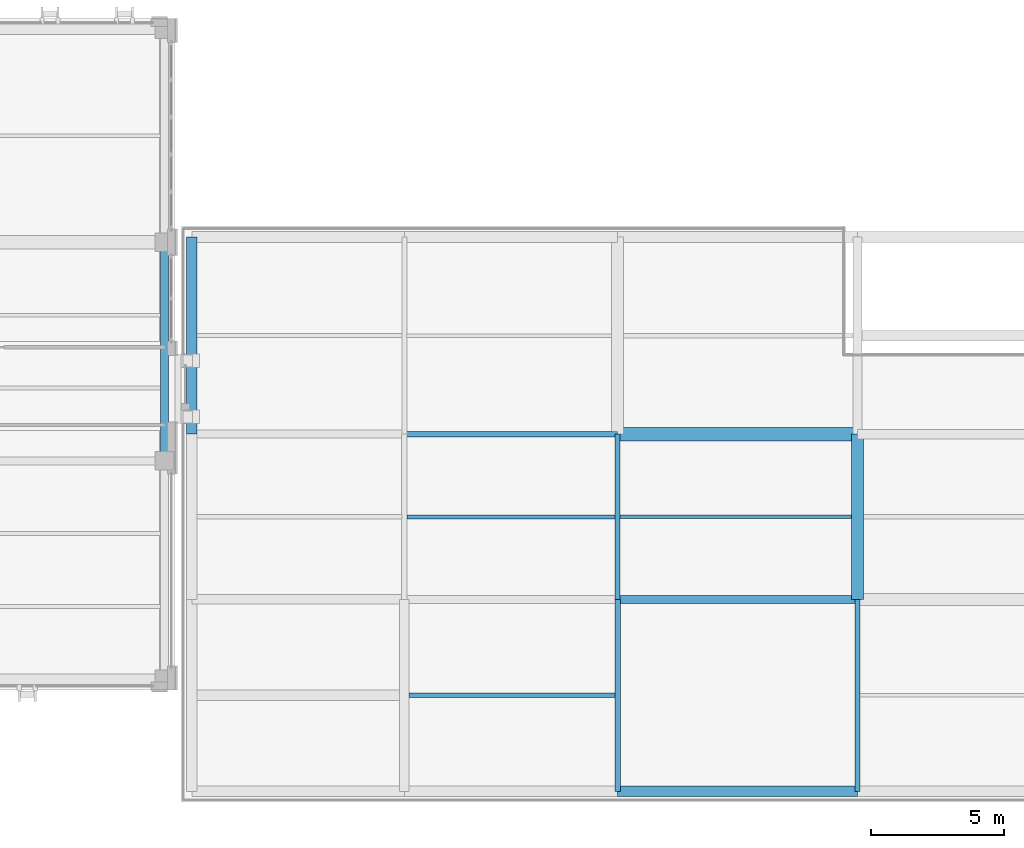
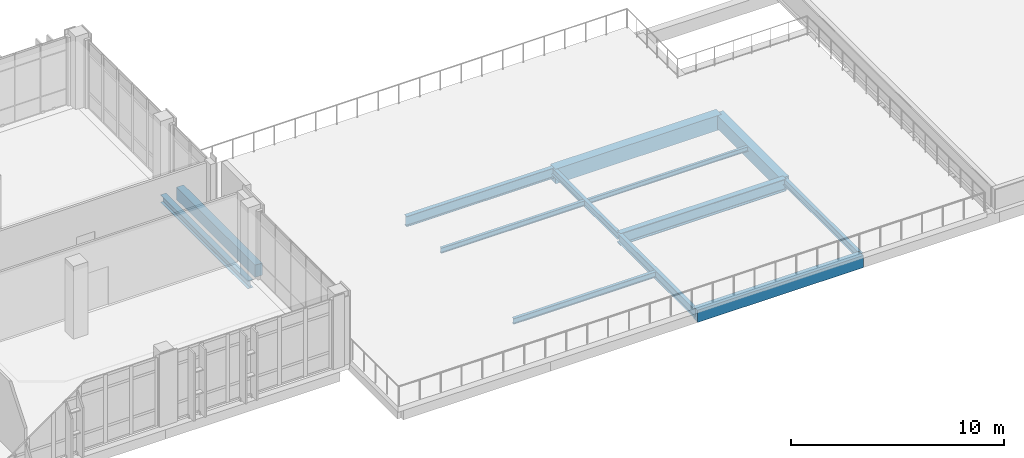
# One storey, part 50 of 165: 13 beams.
"""IFC4 building model written with IfcOpenShell, lengths in metres."""

from ifc_helpers import new_model, si_unit, direction, frame, origin, origin_2d, place, context, subcontext, project, spatial, rectangle, i_section, extrude, material, material_profile, profile_set, type_object, element, save


model = new_model("IFC4")

# Units and contexts
model_context = context("Model", 3, precision=1e-05, world=origin(), true_north=direction((0.0, 1.0)))
body_context = subcontext(model_context, "Body", "Model", "MODEL_VIEW")
ifc_project = project(units=[si_unit("LENGTHUNIT", "METRE"), si_unit("AREAUNIT", "SQUARE_METRE"), si_unit("VOLUMEUNIT", "CUBIC_METRE"), si_unit("PLANEANGLEUNIT", "RADIAN"), si_unit("MASSUNIT", "GRAM", prefix="KILO")], contexts=[model_context])

# Site, building, storey
site_placement = place(None, origin())
site = spatial("IfcSite", under=ifc_project, at=site_placement, CompositionType="ELEMENT")
building_placement = place(site_placement, origin())
building = spatial("IfcBuilding", under=site, at=building_placement, Name="Qalavern Law Courts", CompositionType="ELEMENT")
storey_placement = place(building_placement, frame((0.0, 0.0, 14.39990234375)))
storey = spatial("IfcBuildingStorey", under=building, at=storey_placement, Name="L03", CompositionType="ELEMENT", Elevation=14.39990234375)

# Beams
ifc_material_1 = material(Name="Steel S355", Category="steel")
ifc_material_profile_1 = material_profile(ifc_material_1, i_section(OverallWidth=0.300048828125, OverallDepth=0.699951171875, WebThickness=0.01708984375, FlangeThickness=0.031982421875, FilletRadius=0.027099609375, at=origin_2d()), Name="HEB 700")
ifc_profile_set_1 = profile_set([ifc_material_profile_1], Name="Steel S355")
beam_type_1 = type_object("IfcBeamType", Name="STR-BM-HEB700", PredefinedType="BEAM", material=ifc_profile_set_1)
beam_1_placement = place(storey_placement, frame((117.800048828125, 8.60009765625, -0.661865234375), z_axis=(1.0, 0.0, 0.0), x_axis=(0.0, 1.0, 0.0)))
element("IfcBeam", 1, at=beam_1_placement, inside=storey, type_object=beam_type_1, Name="V6 X-beam 2-3 L03", PredefinedType="BEAM", context=body_context, shape_type="SweptSolid", body=[
    extrude(i_section(OverallWidth=0.300048828125, OverallDepth=0.699951171875, WebThickness=0.01708984375, FlangeThickness=0.031982421875, FilletRadius=0.027099609375, at=origin_2d()), origin(), (0.0, 0.0, 1.0), 9.0),
])
ifc_material_profile_2 = material_profile(ifc_material_1, i_section(OverallWidth=0.179931640625, OverallDepth=0.39990234375, WebThickness=0.008544921875, FlangeThickness=0.013427734375, FilletRadius=0.02099609375, at=origin_2d()), Name="IPE 400")
ifc_profile_set_2 = profile_set([ifc_material_profile_2], Name="Steel S355")
beam_type_2 = type_object("IfcBeamType", Name="STR-BM-IPE400", PredefinedType="BEAM", material=ifc_profile_set_2)
beam_2_placement = place(storey_placement, frame((117.800048828125, 8.60009765625, -0.511962890625), z_axis=(0.0, 1.0, 0.0), x_axis=(-1.0, 0.0, 0.0)))
element("IfcBeam", 2, at=beam_2_placement, inside=storey, type_object=beam_type_2, Name="V6 Y-beam 3-2 L03", PredefinedType="BEAM", context=body_context, shape_type="SweptSolid", body=[
    extrude(i_section(OverallWidth=0.179931640625, OverallDepth=0.39990234375, WebThickness=0.008544921875, FlangeThickness=0.013427734375, FilletRadius=0.02099609375, at=origin_2d()), origin(), (0.0, 0.0, 1.0), 6.199951171875),
])
beam_3_placement = place(storey_placement, frame((126.800048828125, 1.39990234375, -0.511962890625), z_axis=(0.0, 1.0, 0.0), x_axis=(-1.0, 0.0, 0.0)))
element("IfcBeam", 3, at=beam_3_placement, inside=storey, type_object=beam_type_2, Name="V6 Y-beam 4-1 L03", PredefinedType="BEAM", context=body_context, shape_type="SweptSolid", body=[
    extrude(i_section(OverallWidth=0.179931640625, OverallDepth=0.39990234375, WebThickness=0.008544921875, FlangeThickness=0.013427734375, FilletRadius=0.02099609375, at=origin_2d()), origin(), (0.0, 0.0, 1.0), 7.2001953125),
])
ifc_material_profile_3 = material_profile(ifc_material_1, i_section(OverallWidth=0.199951171875, OverallDepth=0.5, WebThickness=0.01025390625, FlangeThickness=0.01611328125, FilletRadius=0.02099609375, at=origin_2d()), Name="IPE 500")
ifc_profile_set_3 = profile_set([ifc_material_profile_3], Name="Steel S355")
beam_type_3 = type_object("IfcBeamType", Name="STR-BM-IPE500", PredefinedType="BEAM", material=ifc_profile_set_3)
beam_4_placement = place(storey_placement, frame((117.800048828125, 1.39990234375, -0.56201171875), z_axis=(0.0, 1.0, 0.0), x_axis=(-1.0, 0.0, 0.0)))
element("IfcBeam", 4, at=beam_4_placement, inside=storey, type_object=beam_type_3, Name="V6 Y-beam 3-1 L03", PredefinedType="BEAM", context=body_context, shape_type="SweptSolid", body=[
    extrude(i_section(OverallWidth=0.199951171875, OverallDepth=0.5, WebThickness=0.01025390625, FlangeThickness=0.01611328125, FilletRadius=0.02099609375, at=origin_2d()), origin(), (0.0, 0.0, 1.0), 7.2001953125),
])
ifc_material_profile_4 = material_profile(ifc_material_1, i_section(OverallWidth=0.219970703125, OverallDepth=0.60009765625, WebThickness=0.011962890625, FlangeThickness=0.01904296875, FilletRadius=0.02392578125, at=origin_2d()), Name="IPE 600")
ifc_profile_set_4 = profile_set([ifc_material_profile_4], Name="Steel S355")
beam_type_4 = type_object("IfcBeamType", Name="STR-BM-IPE600", PredefinedType="BEAM", material=ifc_profile_set_4)
beam_5_placement = place(storey_placement, frame((109.800048828125, 14.800048828125, -0.61181640625), z_axis=(1.0, 0.0, 0.0), x_axis=(0.0, 1.0, 0.0)))
element("IfcBeam", 5, at=beam_5_placement, inside=storey, type_object=beam_type_4, Name="V6 X-beam 3-2 L03", PredefinedType="BEAM", context=body_context, shape_type="SweptSolid", body=[
    extrude(i_section(OverallWidth=0.219970703125, OverallDepth=0.60009765625, WebThickness=0.011962890625, FlangeThickness=0.01904296875, FilletRadius=0.02392578125, at=origin_2d()), origin(), (0.0, 0.0, 1.0), 8.0),
])
ifc_material_2 = material(Name="Concrete C40/50", Category="concrete")
ifc_material_profile_5 = material_profile(ifc_material_2, rectangle(XDim=0.449951171875, YDim=0.75, at=origin_2d()), Name="RC 450x750")
ifc_profile_set_5 = profile_set([ifc_material_profile_5], Name="Concrete C40/50")
beam_type_5 = type_object("IfcBeamType", Name="STR-BM-RC450x750", PredefinedType="BEAM", material=ifc_profile_set_5)
beam_6_placement = place(storey_placement, frame((126.800048828125, 8.60009765625, -0.68701171875), z_axis=(0.0, 1.0, 0.0), x_axis=(-1.0, 0.0, 0.0)))
element("IfcBeam", 6, at=beam_6_placement, inside=storey, type_object=beam_type_5, Name="V6 Y-beam 4-2 L03", PredefinedType="BEAM", context=body_context, shape_type="SweptSolid", body=[
    extrude(rectangle(XDim=0.449951171875, YDim=0.75, at=origin_2d()), origin(), (0.0, 0.0, 1.0), 6.199951171875),
])
ifc_material_profile_6 = material_profile(ifc_material_2, rectangle(XDim=0.5, YDim=0.85009765625, at=origin_2d()), Name="RC 500x850")
ifc_profile_set_6 = profile_set([ifc_material_profile_6], Name="Concrete C40/50")
beam_type_6 = type_object("IfcBeamType", Name="STR-BM-RC500x850", PredefinedType="BEAM", material=ifc_profile_set_6)
beam_7_placement = place(storey_placement, frame((117.800048828125, 14.800048828125, -0.73681640625), z_axis=(1.0, 0.0, 0.0), x_axis=(0.0, 1.0, 0.0)))
element("IfcBeam", 7, at=beam_7_placement, inside=storey, type_object=beam_type_6, Name="V6 X-beam 3-3 L03", PredefinedType="BEAM", context=body_context, shape_type="SweptSolid", body=[
    extrude(rectangle(XDim=0.5, YDim=0.85009765625, at=origin_2d()), origin(), (0.0, 0.0, 1.0), 9.0),
])
ifc_material_profile_7 = material_profile(ifc_material_1, i_section(OverallWidth=0.135009765625, OverallDepth=0.27001953125, WebThickness=0.006591796875, FlangeThickness=0.01025390625, FilletRadius=0.014892578125, at=origin_2d()), Name="IPE 270")
ifc_profile_set_7 = profile_set([ifc_material_profile_7], Name="Steel S355")
beam_type_7 = type_object("IfcBeamType", Name="STR-JST-IPE270", PredefinedType="JOIST", material=ifc_profile_set_7)
beam_8_placement = place(storey_placement, frame((117.887939453125, 11.699951171875, -0.447021484375), z_axis=(1.0, 0.0, 0.0), x_axis=(0.0, 1.0, 0.0)))
element("IfcBeam", 8, at=beam_8_placement, inside=storey, type_object=beam_type_7, Name="V6 secondary joist 3.2.1 L03", PredefinedType="JOIST", context=body_context, shape_type="SweptSolid", body=[
    extrude(i_section(OverallWidth=0.135009765625, OverallDepth=0.27001953125, WebThickness=0.006591796875, FlangeThickness=0.01025390625, FilletRadius=0.014892578125, at=origin_2d()), origin(), (0.0, 0.0, 1.0), 8.68896484375),
])
ifc_material_profile_8 = material_profile(ifc_material_1, i_section(OverallWidth=0.14990234375, OverallDepth=0.300048828125, WebThickness=0.007080078125, FlangeThickness=0.0107421875, FilletRadius=0.014892578125, at=origin_2d()), Name="IPE 300")
ifc_profile_set_8 = profile_set([ifc_material_profile_8], Name="Steel S355")
beam_type_8 = type_object("IfcBeamType", Name="STR-JST-IPE300", PredefinedType="JOIST", material=ifc_profile_set_8)
beam_9_placement = place(storey_placement, frame((109.89794921875, 11.699951171875, -0.4619140625), z_axis=(1.0, 0.0, 0.0), x_axis=(0.0, 1.0, 0.0)))
element("IfcBeam", 9, at=beam_9_placement, inside=storey, type_object=beam_type_8, Name="V6 secondary joist 2.2.1 L03", PredefinedType="JOIST", context=body_context, shape_type="SweptSolid", body=[
    extrude(i_section(OverallWidth=0.14990234375, OverallDepth=0.300048828125, WebThickness=0.007080078125, FlangeThickness=0.0107421875, FilletRadius=0.014892578125, at=origin_2d()), origin(), (0.0, 0.0, 1.0), 7.81396484375),
])
ifc_material_profile_9 = material_profile(ifc_material_1, i_section(OverallWidth=0.159912109375, OverallDepth=0.330078125, WebThickness=0.007568359375, FlangeThickness=0.011474609375, FilletRadius=0.01806640625, at=origin_2d()), Name="IPE 330")
ifc_profile_set_9 = profile_set([ifc_material_profile_9], Name="Steel S355")
beam_type_9 = type_object("IfcBeamType", Name="STR-JST-IPE330", PredefinedType="JOIST", material=ifc_profile_set_9)
beam_10_placement = place(storey_placement, frame((109.972900390625, 5.0, -0.476806640625), z_axis=(1.0, 0.0, 0.0), x_axis=(0.0, 1.0, 0.0)))
element("IfcBeam", 10, at=beam_10_placement, inside=storey, type_object=beam_type_9, Name="V6 secondary joist 2.1.1 L03", PredefinedType="JOIST", context=body_context, shape_type="SweptSolid", body=[
    extrude(i_section(OverallWidth=0.159912109375, OverallDepth=0.330078125, WebThickness=0.007568359375, FlangeThickness=0.011474609375, FilletRadius=0.01806640625, at=origin_2d()), origin(), (0.0, 0.0, 1.0), 7.72900390625),
])
ifc_material_profile_10 = material_profile(ifc_material_1, i_section(OverallWidth=0.300048828125, OverallDepth=0.449951171875, WebThickness=0.013916015625, FlangeThickness=0.02587890625, FilletRadius=0.027099609375, at=origin_2d()), Name="HEB 450")
ifc_profile_set_10 = profile_set([ifc_material_profile_10], Name="Steel S355")
beam_type_10 = type_object("IfcBeamType", Name="STR-SP-HEB450", PredefinedType="SPANDREL", material=ifc_profile_set_10)
beam_11_placement = place(storey_placement, frame((100.800048828125, 13.800048828125, -0.510009765625), z_axis=(0.0, 1.0, 0.0), x_axis=(-1.0, 0.0, 0.0)))
element("IfcBeam", 11, at=beam_11_placement, inside=storey, type_object=beam_type_10, Name="V2 Y-beam 8-2 L03", PredefinedType="SPANDREL", context=body_context, shape_type="SweptSolid", body=[
    extrude(i_section(OverallWidth=0.300048828125, OverallDepth=0.449951171875, WebThickness=0.013916015625, FlangeThickness=0.02587890625, FilletRadius=0.027099609375, at=origin_2d()), origin(), (0.0, 0.0, 1.0), 8.199951171875),
])
ifc_material_profile_11 = material_profile(ifc_material_2, rectangle(XDim=0.39990234375, YDim=0.699951171875, at=origin_2d()), Name="RC 400x700")
ifc_profile_set_11 = profile_set([ifc_material_profile_11], Name="Concrete C40/50")
beam_type_11 = type_object("IfcBeamType", Name="STR-SP-RC400x700", PredefinedType="SPANDREL", material=ifc_profile_set_11)
beam_12_placement = place(storey_placement, frame((117.800048828125, 1.39990234375, -0.661865234375), z_axis=(1.0, 0.0, 0.0), x_axis=(0.0, 1.0, 0.0)))
element("IfcBeam", 12, at=beam_12_placement, inside=storey, type_object=beam_type_11, Name="V6 X-beam 1-3 L03", PredefinedType="SPANDREL", context=body_context, shape_type="SweptSolid", body=[
    extrude(rectangle(XDim=0.39990234375, YDim=0.699951171875, at=origin_2d()), origin(), (0.0, 0.0, 1.0), 9.0),
])
beam_13_placement = place(storey_placement, frame((101.820068359375, 14.800048828125, -0.661865234375), z_axis=(0.0, 1.0, 0.0), x_axis=(-1.0, 0.0, 0.0)))
element("IfcBeam", 13, at=beam_13_placement, inside=storey, type_object=beam_type_11, Name="V6 Y-beam 1-3 L03", PredefinedType="SPANDREL", context=body_context, shape_type="SweptSolid", body=[
    extrude(rectangle(XDim=0.39990234375, YDim=0.699951171875, at=origin_2d()), origin(), (0.0, 0.0, 1.0), 7.39990234375),
])

save(model, "model.ifc")
